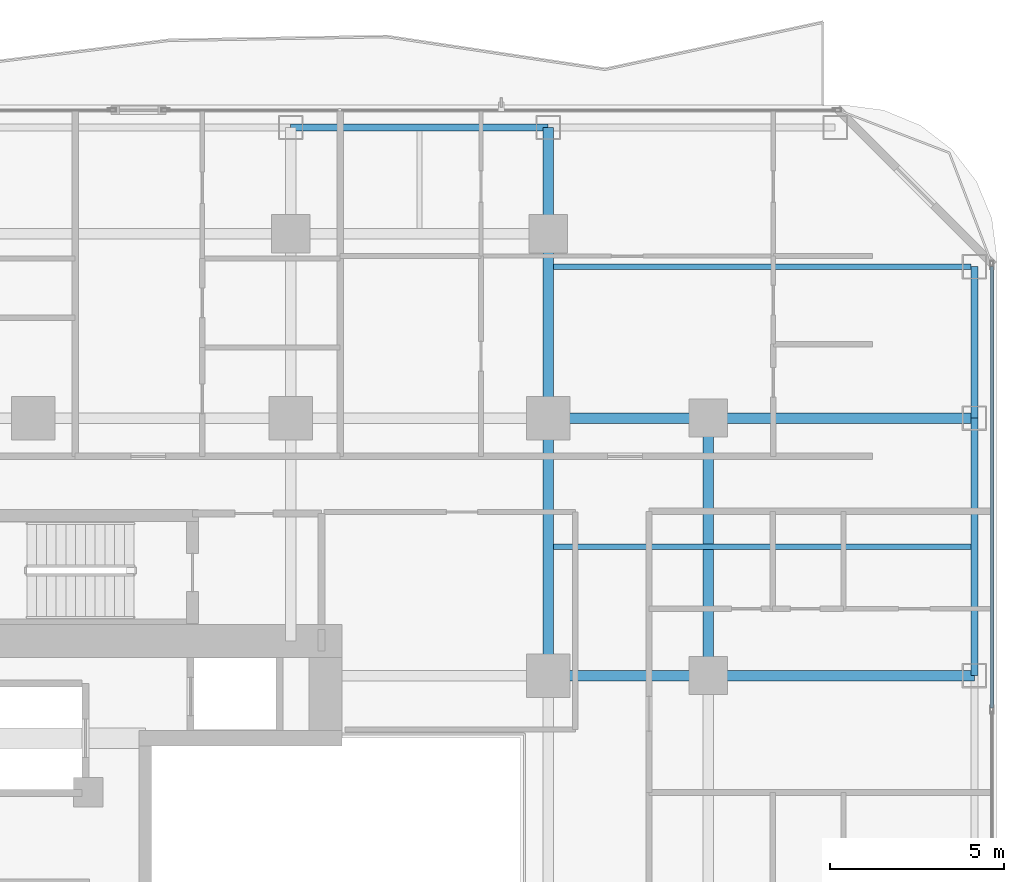
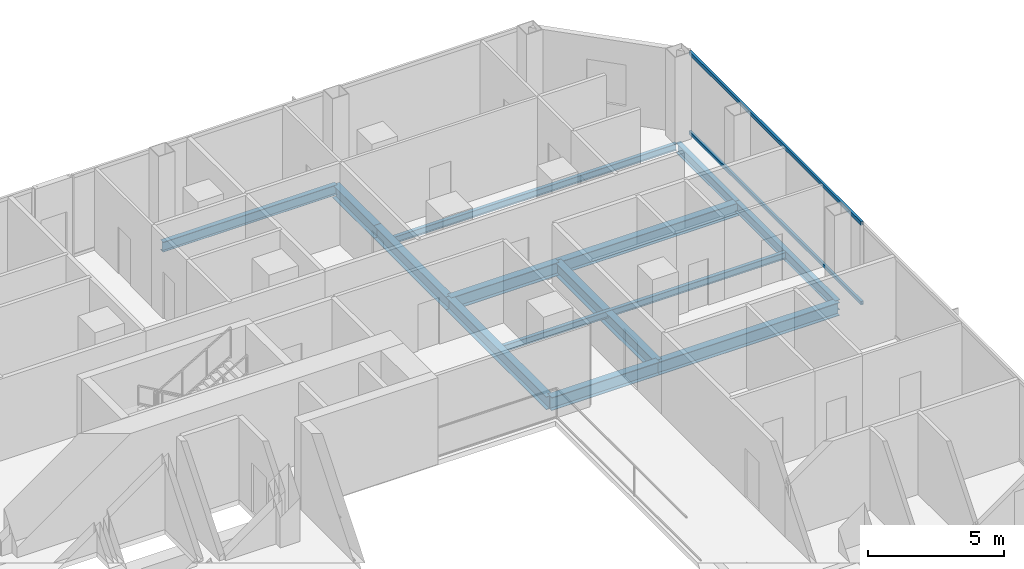
# One storey, part 13 of 29: 13 beams, 2 members, 1 element without a shape of its own.
"""IFC4 building model written with IfcOpenShell, lengths in metres."""

from ifc_helpers import new_model, si_unit, direction, frame, origin, origin_2d, place, context, subcontext, project, spatial, hollow_rectangle, i_section, extrude, material, layer, layer_set, material_profile, profile_set, type_object, element, aggregate, save


model = new_model("IFC4")

# Units and contexts
model_context = context("Model", 3, precision=1e-05, world=origin(), true_north=direction((0.0, 1.0)))
body_context = subcontext(model_context, "Body", "Model", "MODEL_VIEW")
ifc_project = project(units=[si_unit("LENGTHUNIT", "METRE"), si_unit("AREAUNIT", "SQUARE_METRE"), si_unit("VOLUMEUNIT", "CUBIC_METRE"), si_unit("PLANEANGLEUNIT", "RADIAN"), si_unit("MASSUNIT", "GRAM", prefix="KILO")], contexts=[model_context])

# Site, building, storey
site_placement = place(None, origin())
site = spatial("IfcSite", under=ifc_project, at=site_placement, CompositionType="ELEMENT")
building_placement = place(site_placement, origin())
building = spatial("IfcBuilding", under=site, at=building_placement, Name="Khorvyn Point Tower", CompositionType="ELEMENT")
storey_placement = place(building_placement, frame((0.0, 0.0, 144.60009765625)))
storey = spatial("IfcBuildingStorey", under=building, at=storey_placement, Name="L36", CompositionType="ELEMENT", Elevation=144.60009765625)

# Curtain wall, members
ifc_material_1 = material(Name="Anodised aluminium 6063-T6 and laminated Low-E glass", Category="aluminium")
ifc_layer = layer(ifc_material_1, 0.18994140625)
ifc_layer_set = layer_set([ifc_layer], Name="Stick-Built Acoustic Curtain Wall CW-SYS-03")
curtain_wall_type = type_object("IfcCurtainWallType", Name="Stick-Built Acoustic Curtain Wall CW-SYS-03", PredefinedType="NOTDEFINED", material=ifc_layer_set)
curtain_wall_placement = place(storey_placement, origin())
curtain_wall = element("IfcCurtainWall", 1, at=curtain_wall_placement, inside=storey, type_object=curtain_wall_type, Name="Curtain Wall", PredefinedType="NOTDEFINED")
ifc_material_2 = material(Name="Anodised aluminium 6063-T6", Category="aluminium")
ifc_material_profile_1 = material_profile(ifc_material_2, hollow_rectangle(XDim=0.10009765625, YDim=0.159912109375, WallThickness=0.00439453125, at=origin_2d()))
ifc_profile_set_1 = profile_set([ifc_material_profile_1], Name="Anodised aluminium 6063-T6 ALU-TRN-100x160")
member_type = type_object("IfcMemberType", Name="Anodised Aluminium 6063-T6 Transom ALU-TRN-100x160", PredefinedType="USERDEFINED", material=ifc_profile_set_1)
member_1_placement = place(storey_placement, frame((27.550048828125, 19.14990234375, 0.0498046875), z_axis=(0.0, -1.0, 0.0), x_axis=(1.0, 0.0, 0.0)))
member_1 = element("IfcMember", 2, at=member_1_placement, type_object=member_type, Name="Transom", ObjectType="TRANSOM", PredefinedType="USERDEFINED", context=body_context, shape_type="SweptSolid", body=[
    extrude(hollow_rectangle(XDim=0.10009765625, YDim=0.159912109375, WallThickness=0.00439453125, at=origin_2d()), origin(), (0.0, 0.0, 1.0), 12.683349609375),
])
member_2_placement = place(storey_placement, frame((27.550048828125, 19.14990234375, 3.6298828125), z_axis=(0.0, -1.0, 0.0), x_axis=(1.0, 0.0, 0.0)))
member_2 = element("IfcMember", 3, at=member_2_placement, type_object=member_type, Name="Transom", ObjectType="TRANSOM", PredefinedType="USERDEFINED", context=body_context, shape_type="SweptSolid", body=[
    extrude(hollow_rectangle(XDim=0.10009765625, YDim=0.159912109375, WallThickness=0.00439453125, at=origin_2d()), origin(), (0.0, 0.0, 1.0), 12.683349609375),
])
aggregate(curtain_wall, [member_1, member_2])

# Beams
ifc_material_3 = material(Name="Steel S355", Category="steel")
ifc_material_profile_2 = material_profile(ifc_material_3, i_section(OverallWidth=0.300048828125, OverallDepth=0.587890625, WebThickness=0.011962890625, FlangeThickness=0.02001953125, at=origin_2d()))
ifc_profile_set_2 = profile_set([ifc_material_profile_2], Name="Steel S355 H588x300x12x20")
beam_type_1 = type_object("IfcBeamType", Name="Steel S355 Beam H588x300x12x20", PredefinedType="BEAM", material=ifc_profile_set_2)
beam_1_placement = place(storey_placement, frame((14.800048828125, 14.800048828125, -0.51416015625), z_axis=(1.0, 0.0, 0.0), x_axis=(0.0, 1.0, 0.0)))
element("IfcBeam", 4, at=beam_1_placement, inside=storey, type_object=beam_type_1, Name="Beam", PredefinedType="BEAM", context=body_context, shape_type="SweptSolid", body=[
    extrude(i_section(OverallWidth=0.300048828125, OverallDepth=0.587890625, WebThickness=0.011962890625, FlangeThickness=0.02001953125, at=origin_2d()), origin(), (0.0, 0.0, 1.0), 4.599853515625),
])
beam_2_placement = place(storey_placement, frame((19.39990234375, 14.800048828125, -0.51416015625), z_axis=(1.0, 0.0, 0.0), x_axis=(0.0, 1.0, 0.0)))
element("IfcBeam", 5, at=beam_2_placement, inside=storey, type_object=beam_type_1, Name="Beam", PredefinedType="BEAM", context=body_context, shape_type="SweptSolid", body=[
    extrude(i_section(OverallWidth=0.300048828125, OverallDepth=0.587890625, WebThickness=0.011962890625, FlangeThickness=0.02001953125, at=origin_2d()), origin(), (0.0, 0.0, 1.0), 7.650146484375),
])
beam_3_placement = place(storey_placement, frame((14.800048828125, 7.39990234375, -0.51416015625), z_axis=(1.0, 0.0, 0.0), x_axis=(0.0, 1.0, 0.0)))
element("IfcBeam", 6, at=beam_3_placement, inside=storey, type_object=beam_type_1, Name="Beam", PredefinedType="BEAM", context=body_context, shape_type="SweptSolid", body=[
    extrude(i_section(OverallWidth=0.300048828125, OverallDepth=0.587890625, WebThickness=0.011962890625, FlangeThickness=0.02001953125, at=origin_2d()), origin(), (0.0, 0.0, 1.0), 4.599853515625),
])
beam_4_placement = place(storey_placement, frame((19.39990234375, 7.39990234375, -0.51416015625), z_axis=(1.0, 0.0, 0.0), x_axis=(0.0, 1.0, 0.0)))
element("IfcBeam", 7, at=beam_4_placement, inside=storey, type_object=beam_type_1, Name="Beam", PredefinedType="BEAM", context=body_context, shape_type="SweptSolid", body=[
    extrude(i_section(OverallWidth=0.300048828125, OverallDepth=0.587890625, WebThickness=0.011962890625, FlangeThickness=0.02001953125, at=origin_2d()), origin(), (0.0, 0.0, 1.0), 7.650146484375),
])
beam_5_placement = place(storey_placement, frame((14.800048828125, 7.39990234375, -0.51416015625), z_axis=(0.0, 1.0, 0.0), x_axis=(-1.0, 0.0, 0.0)))
element("IfcBeam", 8, at=beam_5_placement, inside=storey, type_object=beam_type_1, Name="Beam", PredefinedType="BEAM", context=body_context, shape_type="SweptSolid", body=[
    extrude(i_section(OverallWidth=0.300048828125, OverallDepth=0.587890625, WebThickness=0.011962890625, FlangeThickness=0.02001953125, at=origin_2d()), origin(), (0.0, 0.0, 1.0), 7.400146484375),
])
beam_6_placement = place(storey_placement, frame((14.800048828125, 14.800048828125, -0.51416015625), z_axis=(0.0, 1.0, 0.0), x_axis=(-1.0, 0.0, 0.0)))
element("IfcBeam", 9, at=beam_6_placement, inside=storey, type_object=beam_type_1, Name="Beam", PredefinedType="BEAM", context=body_context, shape_type="SweptSolid", body=[
    extrude(i_section(OverallWidth=0.300048828125, OverallDepth=0.587890625, WebThickness=0.011962890625, FlangeThickness=0.02001953125, at=origin_2d()), origin(), (0.0, 0.0, 1.0), 5.300048828125),
])
beam_7_placement = place(storey_placement, frame((14.800048828125, 20.10009765625, -0.51416015625), z_axis=(0.0, 1.0, 0.0), x_axis=(-1.0, 0.0, 0.0)))
element("IfcBeam", 10, at=beam_7_placement, inside=storey, type_object=beam_type_1, Name="Beam", PredefinedType="BEAM", context=body_context, shape_type="SweptSolid", body=[
    extrude(i_section(OverallWidth=0.300048828125, OverallDepth=0.587890625, WebThickness=0.011962890625, FlangeThickness=0.02001953125, at=origin_2d()), origin(), (0.0, 0.0, 1.0), 3.0498046875),
])
beam_8_placement = place(storey_placement, frame((19.39990234375, 7.39990234375, -0.51416015625), z_axis=(0.0, 1.0, 0.0), x_axis=(-1.0, 0.0, 0.0)))
element("IfcBeam", 11, at=beam_8_placement, inside=storey, type_object=beam_type_1, Name="Beam", PredefinedType="BEAM", context=body_context, shape_type="SweptSolid", body=[
    extrude(i_section(OverallWidth=0.300048828125, OverallDepth=0.587890625, WebThickness=0.011962890625, FlangeThickness=0.02001953125, at=origin_2d()), origin(), (0.0, 0.0, 1.0), 7.400146484375),
])
ifc_material_profile_3 = material_profile(ifc_material_3, i_section(OverallWidth=0.14990234375, OverallDepth=0.300048828125, WebThickness=0.006591796875, FlangeThickness=0.009033203125, at=origin_2d()))
ifc_profile_set_3 = profile_set([ifc_material_profile_3], Name="Steel S355 H300x150x6.5x9")
beam_type_2 = type_object("IfcBeamType", Name="Steel S355 Joist H300x150x6.5x9", PredefinedType="JOIST", material=ifc_profile_set_3)
for number, where, z_axis, x_axis, name in (
    (12, (14.949951171875, 11.10009765625, -0.3701171875), (1.0, 0.0, 0.0), (0.0, 1.0, 0.0), "Beam"),
    (13, (14.949951171875, 19.14990234375, -0.3701171875), (1.0, 0.0, 0.0), (0.0, 1.0, 0.0), "Beam"),
):
    element("IfcBeam", number, at=place(storey_placement, frame(where, z_axis=z_axis, x_axis=x_axis)), inside=storey, type_object=beam_type_2, Name=name, PredefinedType="JOIST", context=body_context, shape_type="SweptSolid", body=[
        extrude(i_section(OverallWidth=0.14990234375, OverallDepth=0.300048828125, WebThickness=0.006591796875, FlangeThickness=0.009033203125, at=origin_2d()), origin(), (0.0, 0.0, 1.0), 12.0),
    ])
ifc_material_profile_4 = material_profile(ifc_material_3, i_section(OverallWidth=0.199951171875, OverallDepth=0.449951171875, WebThickness=0.009033203125, FlangeThickness=0.013916015625, at=origin_2d()))
ifc_profile_set_4 = profile_set([ifc_material_profile_4], Name="Steel S355 H450x200x9x14")
beam_type_3 = type_object("IfcBeamType", Name="Steel S355 Spandrel H450x200x9x14", PredefinedType="SPANDREL", material=ifc_profile_set_4)
for number, where, z_axis, x_axis, name in (
    (14, (7.39990234375, 23.14990234375, -0.445068359375), (1.0, 0.0, 0.0), (0.0, 1.0, 0.0), "Beam"),
    (15, (27.050048828125, 7.39990234375, -0.445068359375), (0.0, 1.0, 0.0), (-1.0, 0.0, 0.0), "Beam"),
):
    element("IfcBeam", number, at=place(storey_placement, frame(where, z_axis=z_axis, x_axis=x_axis)), inside=storey, type_object=beam_type_3, Name=name, PredefinedType="SPANDREL", context=body_context, shape_type="SweptSolid", body=[
        extrude(i_section(OverallWidth=0.199951171875, OverallDepth=0.449951171875, WebThickness=0.009033203125, FlangeThickness=0.013916015625, at=origin_2d()), origin(), (0.0, 0.0, 1.0), 7.400146484375),
    ])
beam_9_placement = place(storey_placement, frame((27.050048828125, 14.800048828125, -0.445068359375), z_axis=(0.0, 1.0, 0.0), x_axis=(-1.0, 0.0, 0.0)))
element("IfcBeam", 16, at=beam_9_placement, inside=storey, type_object=beam_type_3, Name="Beam", PredefinedType="SPANDREL", context=body_context, shape_type="SweptSolid", body=[
    extrude(i_section(OverallWidth=0.199951171875, OverallDepth=0.449951171875, WebThickness=0.009033203125, FlangeThickness=0.013916015625, at=origin_2d()), origin(), (0.0, 0.0, 1.0), 4.349853515625),
])

save(model, "model.ifc")
